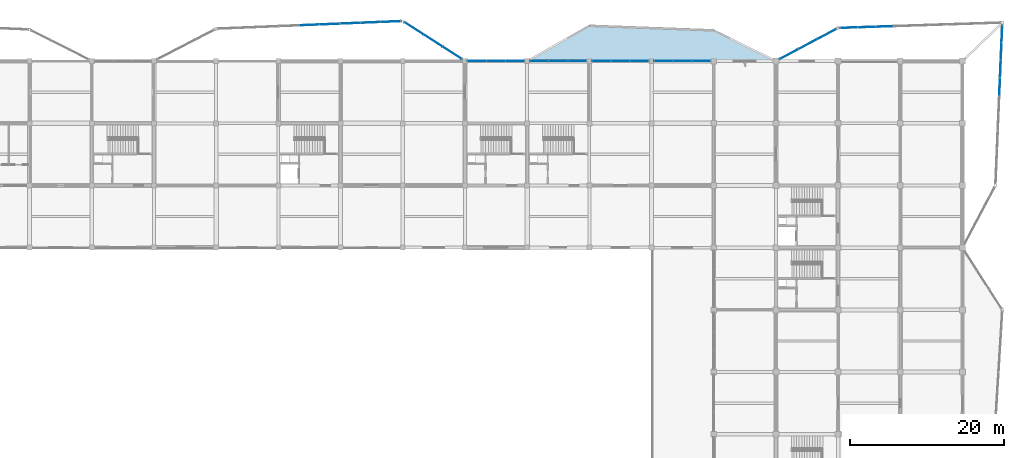
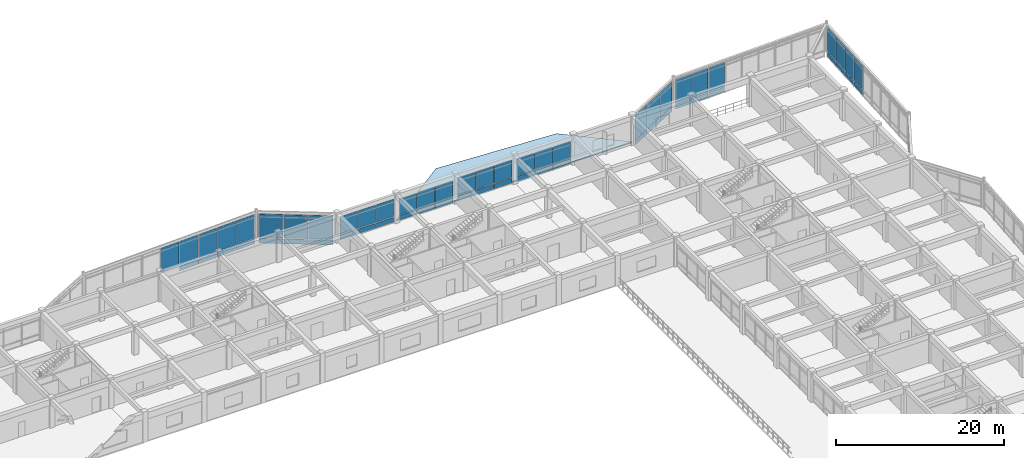
# One storey, part 44 of 70: 59 plates, 1 slab, 11 elements without a shape of their own.
"""IFC4 building model written with IfcOpenShell, lengths in metres."""

from ifc_helpers import new_model, si_unit, direction, frame, origin, origin_2d, place, context, subcontext, project, spatial, polyline, rectangle, outline, extrude, material, layer, layer_set, type_object, element, aggregate, save


model = new_model("IFC4")

# Units and contexts
model_context = context("Model", 3, precision=1e-05, world=origin(), true_north=direction((0.0, 1.0)))
body_context = subcontext(model_context, "Body", "Model", "MODEL_VIEW")
ifc_project = project(units=[si_unit("LENGTHUNIT", "METRE"), si_unit("AREAUNIT", "SQUARE_METRE"), si_unit("VOLUMEUNIT", "CUBIC_METRE"), si_unit("PLANEANGLEUNIT", "RADIAN"), si_unit("MASSUNIT", "GRAM", prefix="KILO")], contexts=[model_context])

# Site, building, storey
site_placement = place(None, origin())
site = spatial("IfcSite", under=ifc_project, at=site_placement, CompositionType="ELEMENT")
building_placement = place(site_placement, origin())
building = spatial("IfcBuilding", under=site, at=building_placement, Name="Vaudrelin Polytechnic", CompositionType="ELEMENT")
storey_placement = place(building_placement, frame((0.0, 0.0, 14.110107421875)))
storey = spatial("IfcBuildingStorey", under=building, at=storey_placement, Name="L03", CompositionType="ELEMENT", Elevation=14.110107421875)

# Curtain wall, plates
ifc_material_1 = material(Name="Thermally broken anodised aluminium AA 6063-T6 and low-e triple glazing", Category="aluminium")
ifc_layer_1 = layer(ifc_material_1, 0.199951171875)
ifc_layer_set_1 = layer_set([ifc_layer_1], Name="Thermally broken anodised aluminium AA 6063-T6 and low-e triple glazing")
curtain_wall_type_1 = type_object("IfcCurtainWallType", Name="CW-CW-STU", PredefinedType="USERDEFINED", material=ifc_layer_set_1)
curtain_wall_1_placement = place(storey_placement, origin())
curtain_wall_1 = element("IfcCurtainWall", 1, at=curtain_wall_1_placement, inside=storey, type_object=curtain_wall_type_1, Name="Curtain wall L03 N_V5_13", ObjectType="CURTAIN WALL", PredefinedType="USERDEFINED")
ifc_material_2 = material(Name="Diffusing north-light studio glazing panel", Category="glass")
ifc_layer_2 = layer(ifc_material_2, 0.048095703125)
ifc_layer_set_2 = layer_set([ifc_layer_2], Name="Diffusing north-light studio glazing panel")
plate_type_1 = type_object("IfcPlateType", Name="PLT-GLZ-SAW", PredefinedType="CURTAIN_PANEL", material=ifc_layer_set_2)
plate_1_placement = place(storey_placement, frame((106.865234375, 121.5, 0.89990234375), z_axis=(0.0, 0.0, 1.0), x_axis=(1.0, 0.0, 0.0)))
plate_1 = element("IfcPlate", 2, at=plate_1_placement, type_object=plate_type_1, Name="N_V5_13 vision panel 1", PredefinedType="CURTAIN_PANEL", context=body_context, shape_type="SweptSolid", body=[
    extrude(rectangle(XDim=2.384765625, YDim=0.0439453125, at=origin_2d()), origin(), (0.0, 0.0, 1.0), 2.552001953125),
])
plate_2_placement = place(storey_placement, frame((109.35009765625, 121.5, 0.89990234375), z_axis=(0.0, 0.0, 1.0), x_axis=(1.0, 0.0, 0.0)))
plate_2 = element("IfcPlate", 3, at=plate_2_placement, type_object=plate_type_1, Name="N_V5_13 vision panel 2", PredefinedType="CURTAIN_PANEL", context=body_context, shape_type="SweptSolid", body=[
    extrude(rectangle(XDim=2.384765625, YDim=0.0439453125, at=origin_2d()), origin(), (0.0, 0.0, 1.0), 2.552001953125),
])
plate_3_placement = place(storey_placement, frame((111.834716796875, 121.5, 0.89990234375), z_axis=(0.0, 0.0, 1.0), x_axis=(1.0, 0.0, 0.0)))
plate_3 = element("IfcPlate", 4, at=plate_3_placement, type_object=plate_type_1, Name="N_V5_13 vision panel 3", PredefinedType="CURTAIN_PANEL", context=body_context, shape_type="SweptSolid", body=[
    extrude(rectangle(XDim=2.384765625, YDim=0.0439453125, at=origin_2d()), origin(), (0.0, 0.0, 1.0), 2.552001953125),
])

curtain_wall_2_placement = place(storey_placement, origin())
curtain_wall_2 = element("IfcCurtainWall", 5, at=curtain_wall_2_placement, inside=storey, type_object=curtain_wall_type_1, Name="Curtain wall L03 N_V5_14", ObjectType="CURTAIN WALL", PredefinedType="USERDEFINED")
plate_4_placement = place(storey_placement, frame((114.96533203125, 121.5, 0.89990234375), z_axis=(0.0, 0.0, 1.0), x_axis=(1.0, 0.0, 0.0)))
plate_4 = element("IfcPlate", 6, at=plate_4_placement, type_object=plate_type_1, Name="N_V5_14 vision panel 1", PredefinedType="CURTAIN_PANEL", context=body_context, shape_type="SweptSolid", body=[
    extrude(rectangle(XDim=2.384765625, YDim=0.0439453125, at=origin_2d()), origin(), (0.0, 0.0, 1.0), 2.302001953125),
])
plate_5_placement = place(storey_placement, frame((117.449951171875, 121.5, 0.89990234375), z_axis=(0.0, 0.0, 1.0), x_axis=(1.0, 0.0, 0.0)))
plate_5 = element("IfcPlate", 7, at=plate_5_placement, type_object=plate_type_1, Name="N_V5_14 vision panel 2", PredefinedType="CURTAIN_PANEL", context=body_context, shape_type="SweptSolid", body=[
    extrude(rectangle(XDim=2.384765625, YDim=0.0439453125, at=origin_2d()), origin(), (0.0, 0.0, 1.0), 2.302001953125),
])
plate_6_placement = place(storey_placement, frame((119.934814453125, 121.5, 0.89990234375), z_axis=(0.0, 0.0, 1.0), x_axis=(1.0, 0.0, 0.0)))
plate_6 = element("IfcPlate", 8, at=plate_6_placement, type_object=plate_type_1, Name="N_V5_14 vision panel 3", PredefinedType="CURTAIN_PANEL", context=body_context, shape_type="SweptSolid", body=[
    extrude(rectangle(XDim=2.384765625, YDim=0.0439453125, at=origin_2d()), origin(), (0.0, 0.0, 1.0), 2.302001953125),
])

curtain_wall_3_placement = place(storey_placement, origin())
curtain_wall_3 = element("IfcCurtainWall", 9, at=curtain_wall_3_placement, inside=storey, type_object=curtain_wall_type_1, Name="Curtain wall L03 N_V5_15", ObjectType="CURTAIN WALL", PredefinedType="USERDEFINED")
plate_7_placement = place(storey_placement, frame((123.065185546875, 121.5, 0.89990234375), z_axis=(0.0, 0.0, 1.0), x_axis=(1.0, 0.0, 0.0)))
plate_7 = element("IfcPlate", 10, at=plate_7_placement, type_object=plate_type_1, Name="N_V5_15 vision panel 1", PredefinedType="CURTAIN_PANEL", context=body_context, shape_type="SweptSolid", body=[
    extrude(rectangle(XDim=2.384765625, YDim=0.0439453125, at=origin_2d()), origin(), (0.0, 0.0, 1.0), 2.501953125),
])
plate_8_placement = place(storey_placement, frame((125.550048828125, 121.5, 0.89990234375), z_axis=(0.0, 0.0, 1.0), x_axis=(1.0, 0.0, 0.0)))
plate_8 = element("IfcPlate", 11, at=plate_8_placement, type_object=plate_type_1, Name="N_V5_15 vision panel 2", PredefinedType="CURTAIN_PANEL", context=body_context, shape_type="SweptSolid", body=[
    extrude(rectangle(XDim=2.384765625, YDim=0.0439453125, at=origin_2d()), origin(), (0.0, 0.0, 1.0), 2.501953125),
])
plate_9_placement = place(storey_placement, frame((128.03466796875, 121.5, 0.89990234375), z_axis=(0.0, 0.0, 1.0), x_axis=(1.0, 0.0, 0.0)))
plate_9 = element("IfcPlate", 12, at=plate_9_placement, type_object=plate_type_1, Name="N_V5_15 vision panel 3", PredefinedType="CURTAIN_PANEL", context=body_context, shape_type="SweptSolid", body=[
    extrude(rectangle(XDim=2.384765625, YDim=0.0439453125, at=origin_2d()), origin(), (0.0, 0.0, 1.0), 2.501953125),
])

curtain_wall_4_placement = place(storey_placement, origin())
curtain_wall_4 = element("IfcCurtainWall", 13, at=curtain_wall_4_placement, inside=storey, type_object=curtain_wall_type_1, Name="Curtain wall L03 N_V5_16", ObjectType="CURTAIN WALL", PredefinedType="USERDEFINED")
plate_10_placement = place(storey_placement, frame((131.156982421875, 121.5, 0.89990234375), z_axis=(0.0, 0.0, 1.0), x_axis=(1.0, 0.0, 0.0)))
plate_10 = element("IfcPlate", 14, at=plate_10_placement, type_object=plate_type_1, Name="N_V5_16 vision panel 1", PredefinedType="CURTAIN_PANEL", context=body_context, shape_type="SweptSolid", body=[
    extrude(rectangle(XDim=2.367919921875, YDim=0.0439453125, at=origin_2d()), origin(), (0.0, 0.0, 1.0), 2.402099609375),
])
plate_11_placement = place(storey_placement, frame((133.625, 121.5, 0.89990234375), z_axis=(0.0, 0.0, 1.0), x_axis=(1.0, 0.0, 0.0)))
plate_11 = element("IfcPlate", 15, at=plate_11_placement, type_object=plate_type_1, Name="N_V5_16 vision panel 2", PredefinedType="CURTAIN_PANEL", context=body_context, shape_type="SweptSolid", body=[
    extrude(rectangle(XDim=2.367919921875, YDim=0.0439453125, at=origin_2d()), origin(), (0.0, 0.0, 1.0), 2.402099609375),
])
plate_12_placement = place(storey_placement, frame((136.093017578125, 121.5, 0.89990234375), z_axis=(0.0, 0.0, 1.0), x_axis=(1.0, 0.0, 0.0)))
plate_12 = element("IfcPlate", 16, at=plate_12_placement, type_object=plate_type_1, Name="N_V5_16 vision panel 3", PredefinedType="CURTAIN_PANEL", context=body_context, shape_type="SweptSolid", body=[
    extrude(rectangle(XDim=2.367919921875, YDim=0.0439453125, at=origin_2d()), origin(), (0.0, 0.0, 1.0), 2.402099609375),
])

# Plate
ifc_material_3 = material(Name="Insulated ceramic-frit spandrel glass panel", Category="glass")
ifc_layer_3 = layer(ifc_material_3, 0.052001953125)
ifc_layer_set_3 = layer_set([ifc_layer_3], Name="Insulated ceramic-frit spandrel glass panel")
plate_type_2 = type_object("IfcPlateType", Name="PLT-GLZ-SPAND", PredefinedType="CURTAIN_PANEL", material=ifc_layer_set_3)
plate_13_placement = place(storey_placement, frame((106.865234375, 121.5, 0.08984375), z_axis=(0.0, 0.0, 1.0), x_axis=(1.0, 0.0, 0.0)))
plate_13 = element("IfcPlate", 17, at=plate_13_placement, type_object=plate_type_2, Name="N_V5_13 spandrel panel 1", PredefinedType="CURTAIN_PANEL", context=body_context, shape_type="SweptSolid", body=[
    extrude(rectangle(XDim=2.384765625, YDim=0.052001953125, at=origin_2d()), origin(), (0.0, 0.0, 1.0), 0.699951171875),
])

plate_14_placement = place(storey_placement, frame((109.35009765625, 121.5, 0.08984375), z_axis=(0.0, 0.0, 1.0), x_axis=(1.0, 0.0, 0.0)))
plate_14 = element("IfcPlate", 18, at=plate_14_placement, type_object=plate_type_2, Name="N_V5_13 spandrel panel 2", PredefinedType="CURTAIN_PANEL", context=body_context, shape_type="SweptSolid", body=[
    extrude(rectangle(XDim=2.384765625, YDim=0.052001953125, at=origin_2d()), origin(), (0.0, 0.0, 1.0), 0.699951171875),
])

plate_15_placement = place(storey_placement, frame((111.834716796875, 121.5, 0.08984375), z_axis=(0.0, 0.0, 1.0), x_axis=(1.0, 0.0, 0.0)))
plate_15 = element("IfcPlate", 19, at=plate_15_placement, type_object=plate_type_2, Name="N_V5_13 spandrel panel 3", PredefinedType="CURTAIN_PANEL", context=body_context, shape_type="SweptSolid", body=[
    extrude(rectangle(XDim=2.384765625, YDim=0.052001953125, at=origin_2d()), origin(), (0.0, 0.0, 1.0), 0.699951171875),
])

aggregate(curtain_wall_1, [plate_13, plate_1, plate_14, plate_2, plate_15, plate_3])

plate_16_placement = place(storey_placement, frame((114.96533203125, 121.5, 0.08984375), z_axis=(0.0, 0.0, 1.0), x_axis=(1.0, 0.0, 0.0)))
plate_16 = element("IfcPlate", 20, at=plate_16_placement, type_object=plate_type_2, Name="N_V5_14 spandrel panel 1", PredefinedType="CURTAIN_PANEL", context=body_context, shape_type="SweptSolid", body=[
    extrude(rectangle(XDim=2.384765625, YDim=0.052001953125, at=origin_2d()), origin(), (0.0, 0.0, 1.0), 0.699951171875),
])

plate_17_placement = place(storey_placement, frame((117.449951171875, 121.5, 0.08984375), z_axis=(0.0, 0.0, 1.0), x_axis=(1.0, 0.0, 0.0)))
plate_17 = element("IfcPlate", 21, at=plate_17_placement, type_object=plate_type_2, Name="N_V5_14 spandrel panel 2", PredefinedType="CURTAIN_PANEL", context=body_context, shape_type="SweptSolid", body=[
    extrude(rectangle(XDim=2.384765625, YDim=0.052001953125, at=origin_2d()), origin(), (0.0, 0.0, 1.0), 0.699951171875),
])

plate_18_placement = place(storey_placement, frame((119.934814453125, 121.5, 0.08984375), z_axis=(0.0, 0.0, 1.0), x_axis=(1.0, 0.0, 0.0)))
plate_18 = element("IfcPlate", 22, at=plate_18_placement, type_object=plate_type_2, Name="N_V5_14 spandrel panel 3", PredefinedType="CURTAIN_PANEL", context=body_context, shape_type="SweptSolid", body=[
    extrude(rectangle(XDim=2.384765625, YDim=0.052001953125, at=origin_2d()), origin(), (0.0, 0.0, 1.0), 0.699951171875),
])

aggregate(curtain_wall_2, [plate_16, plate_4, plate_17, plate_5, plate_18, plate_6])

plate_19_placement = place(storey_placement, frame((123.065185546875, 121.5, 0.08984375), z_axis=(0.0, 0.0, 1.0), x_axis=(1.0, 0.0, 0.0)))
plate_19 = element("IfcPlate", 23, at=plate_19_placement, type_object=plate_type_2, Name="N_V5_15 spandrel panel 1", PredefinedType="CURTAIN_PANEL", context=body_context, shape_type="SweptSolid", body=[
    extrude(rectangle(XDim=2.384765625, YDim=0.052001953125, at=origin_2d()), origin(), (0.0, 0.0, 1.0), 0.699951171875),
])

plate_20_placement = place(storey_placement, frame((125.550048828125, 121.5, 0.08984375), z_axis=(0.0, 0.0, 1.0), x_axis=(1.0, 0.0, 0.0)))
plate_20 = element("IfcPlate", 24, at=plate_20_placement, type_object=plate_type_2, Name="N_V5_15 spandrel panel 2", PredefinedType="CURTAIN_PANEL", context=body_context, shape_type="SweptSolid", body=[
    extrude(rectangle(XDim=2.384765625, YDim=0.052001953125, at=origin_2d()), origin(), (0.0, 0.0, 1.0), 0.699951171875),
])

plate_21_placement = place(storey_placement, frame((128.03466796875, 121.5, 0.08984375), z_axis=(0.0, 0.0, 1.0), x_axis=(1.0, 0.0, 0.0)))
plate_21 = element("IfcPlate", 25, at=plate_21_placement, type_object=plate_type_2, Name="N_V5_15 spandrel panel 3", PredefinedType="CURTAIN_PANEL", context=body_context, shape_type="SweptSolid", body=[
    extrude(rectangle(XDim=2.384765625, YDim=0.052001953125, at=origin_2d()), origin(), (0.0, 0.0, 1.0), 0.699951171875),
])

aggregate(curtain_wall_3, [plate_19, plate_7, plate_20, plate_8, plate_21, plate_9])

plate_22_placement = place(storey_placement, frame((131.156982421875, 121.5, 0.08984375), z_axis=(0.0, 0.0, 1.0), x_axis=(1.0, 0.0, 0.0)))
plate_22 = element("IfcPlate", 26, at=plate_22_placement, type_object=plate_type_2, Name="N_V5_16 spandrel panel 1", PredefinedType="CURTAIN_PANEL", context=body_context, shape_type="SweptSolid", body=[
    extrude(rectangle(XDim=2.367919921875, YDim=0.052001953125, at=origin_2d()), origin(), (0.0, 0.0, 1.0), 0.699951171875),
])

plate_23_placement = place(storey_placement, frame((133.625, 121.5, 0.08984375), z_axis=(0.0, 0.0, 1.0), x_axis=(1.0, 0.0, 0.0)))
plate_23 = element("IfcPlate", 27, at=plate_23_placement, type_object=plate_type_2, Name="N_V5_16 spandrel panel 2", PredefinedType="CURTAIN_PANEL", context=body_context, shape_type="SweptSolid", body=[
    extrude(rectangle(XDim=2.367919921875, YDim=0.052001953125, at=origin_2d()), origin(), (0.0, 0.0, 1.0), 0.699951171875),
])

plate_24_placement = place(storey_placement, frame((136.093017578125, 121.5, 0.08984375), z_axis=(0.0, 0.0, 1.0), x_axis=(1.0, 0.0, 0.0)))
plate_24 = element("IfcPlate", 28, at=plate_24_placement, type_object=plate_type_2, Name="N_V5_16 spandrel panel 3", PredefinedType="CURTAIN_PANEL", context=body_context, shape_type="SweptSolid", body=[
    extrude(rectangle(XDim=2.367919921875, YDim=0.052001953125, at=origin_2d()), origin(), (0.0, 0.0, 1.0), 0.699951171875),
])

aggregate(curtain_wall_4, [plate_22, plate_10, plate_23, plate_11, plate_24, plate_12])

# Curtain wall, plates
ifc_layer_4 = layer(ifc_material_1, 0.199951171875)
ifc_layer_set_4 = layer_set([ifc_layer_4], Name="Thermally broken anodised aluminium AA 6063-T6 and low-e triple glazing")
curtain_wall_type_2 = type_object("IfcCurtainWallType", Name="CW-CW-LAB", PredefinedType="USERDEFINED", material=ifc_layer_set_4)
curtain_wall_5_placement = place(storey_placement, origin())
curtain_wall_5 = element("IfcCurtainWall", 29, at=curtain_wall_5_placement, inside=storey, type_object=curtain_wall_type_2, Name="Curtain wall L03 NEP_1_0", ObjectType="CURTAIN WALL", PredefinedType="USERDEFINED")
plate_25_placement = place(storey_placement, frame((147.4873046875, 122.3955078125, -0.5400390625), z_axis=(0.0, 0.0, 1.0), x_axis=(0.88325357809, 0.468895635288, 0.0)))
plate_25 = element("IfcPlate", 30, at=plate_25_placement, type_object=plate_type_2, Name="NEP_1_0 spandrel panel 1", PredefinedType="CURTAIN_PANEL", context=body_context, shape_type="SweptSolid", body=[
    extrude(rectangle(XDim=2.701171875, YDim=0.052001953125, at=origin_2d()), origin(), (0.0, 0.0, 1.0), 0.699951171875),
])
plate_26_placement = place(storey_placement, frame((149.961181640625, 123.708984375, -0.5400390625), z_axis=(0.0, 0.0, 1.0), x_axis=(0.88325357809, 0.468895635288, 0.0)))
plate_26 = element("IfcPlate", 31, at=plate_26_placement, type_object=plate_type_2, Name="NEP_1_0 spandrel panel 2", PredefinedType="CURTAIN_PANEL", context=body_context, shape_type="SweptSolid", body=[
    extrude(rectangle(XDim=2.701171875, YDim=0.052001953125, at=origin_2d()), origin(), (0.0, 0.0, 1.0), 0.699951171875),
])
plate_27_placement = place(storey_placement, frame((152.435302734375, 125.0224609375, -0.5400390625), z_axis=(0.0, 0.0, 1.0), x_axis=(0.88325357809, 0.468895635288, 0.0)))
plate_27 = element("IfcPlate", 32, at=plate_27_placement, type_object=plate_type_2, Name="NEP_1_0 spandrel panel 3", PredefinedType="CURTAIN_PANEL", context=body_context, shape_type="SweptSolid", body=[
    extrude(rectangle(XDim=2.701171875, YDim=0.052001953125, at=origin_2d()), origin(), (0.0, 0.0, 1.0), 0.699951171875),
])

curtain_wall_6_placement = place(storey_placement, origin())
curtain_wall_6 = element("IfcCurtainWall", 33, at=curtain_wall_6_placement, inside=storey, type_object=curtain_wall_type_2, Name="Curtain wall L03 NEP_2_0", ObjectType="CURTAIN WALL", PredefinedType="USERDEFINED")
plate_28_placement = place(storey_placement, frame((155.297119140625, 125.845703125, -0.5400390625), z_axis=(0.0, 0.0, 1.0), x_axis=(0.999465454284, 0.032692593862, 0.0)))
plate_28 = element("IfcPlate", 34, at=plate_28_placement, type_object=plate_type_2, Name="NEP_2_0 spandrel panel 1", PredefinedType="CURTAIN_PANEL", context=body_context, shape_type="SweptSolid", body=[
    extrude(rectangle(XDim=2.220703125, YDim=0.052001953125, at=origin_2d()), origin(), (0.0, 0.0, 1.0), 0.699951171875),
])
plate_29_placement = place(storey_placement, frame((157.616455078125, 125.921630859375, -0.5400390625), z_axis=(0.0, 0.0, 1.0), x_axis=(0.999465454284, 0.032692593862, 0.0)))
plate_29 = element("IfcPlate", 35, at=plate_29_placement, type_object=plate_type_2, Name="NEP_2_0 spandrel panel 2", PredefinedType="CURTAIN_PANEL", context=body_context, shape_type="SweptSolid", body=[
    extrude(rectangle(XDim=2.220703125, YDim=0.052001953125, at=origin_2d()), origin(), (0.0, 0.0, 1.0), 0.699951171875),
])
plate_30_placement = place(storey_placement, frame((159.935791015625, 125.99755859375, -0.5400390625), z_axis=(0.0, 0.0, 1.0), x_axis=(0.999465454284, 0.032692593862, 0.0)))
plate_30 = element("IfcPlate", 36, at=plate_30_placement, type_object=plate_type_2, Name="NEP_2_0 spandrel panel 3", PredefinedType="CURTAIN_PANEL", context=body_context, shape_type="SweptSolid", body=[
    extrude(rectangle(XDim=2.220703125, YDim=0.052001953125, at=origin_2d()), origin(), (0.0, 0.0, 1.0), 0.699951171875),
])

curtain_wall_7_placement = place(storey_placement, origin())
curtain_wall_7 = element("IfcCurtainWall", 37, at=curtain_wall_7_placement, inside=storey, type_object=curtain_wall_type_2, Name="Curtain wall L03 NEP_3_0", ObjectType="CURTAIN WALL", PredefinedType="USERDEFINED")
plate_31_placement = place(storey_placement, frame((175.239013671875, 125.063232421875, -0.5400390625), z_axis=(0.0, 0.0, 1.0), x_axis=(-0.042419882824, -0.999099871655, 0.0)))
plate_31 = element("IfcPlate", 38, at=plate_31_placement, type_object=plate_type_2, Name="NEP_3_0 spandrel panel 1", PredefinedType="CURTAIN_PANEL", context=body_context, shape_type="SweptSolid", body=[
    extrude(rectangle(XDim=2.19921875, YDim=0.052001953125, at=origin_2d()), origin(), (0.0, 0.0, 1.0), 0.699951171875),
])
plate_32_placement = place(storey_placement, frame((175.1416015625, 122.76611328125, -0.5400390625), z_axis=(0.0, 0.0, 1.0), x_axis=(-0.042419882824, -0.999099871655, 0.0)))
plate_32 = element("IfcPlate", 39, at=plate_32_placement, type_object=plate_type_2, Name="NEP_3_0 spandrel panel 2", PredefinedType="CURTAIN_PANEL", context=body_context, shape_type="SweptSolid", body=[
    extrude(rectangle(XDim=2.19921875, YDim=0.052001953125, at=origin_2d()), origin(), (0.0, 0.0, 1.0), 0.699951171875),
])
plate_33_placement = place(storey_placement, frame((175.0439453125, 120.468994140625, -0.5400390625), z_axis=(0.0, 0.0, 1.0), x_axis=(-0.042419882824, -0.999099871655, 0.0)))
plate_33 = element("IfcPlate", 40, at=plate_33_placement, type_object=plate_type_2, Name="NEP_3_0 spandrel panel 3", PredefinedType="CURTAIN_PANEL", context=body_context, shape_type="SweptSolid", body=[
    extrude(rectangle(XDim=2.19921875, YDim=0.052001953125, at=origin_2d()), origin(), (0.0, 0.0, 1.0), 0.699951171875),
])

# Curtain wall, plate
curtain_wall_8_placement = place(storey_placement, origin())
curtain_wall_8 = element("IfcCurtainWall", 41, at=curtain_wall_8_placement, inside=storey, type_object=curtain_wall_type_2, Name="Curtain wall L03 NEP_3_1", ObjectType="CURTAIN WALL", PredefinedType="USERDEFINED")
plate_34_placement = place(storey_placement, frame((174.9462890625, 118.171875, -0.5400390625), z_axis=(0.0, 0.0, 1.0), x_axis=(-0.042405411318, -0.999100485983, 0.0)))
plate_34 = element("IfcPlate", 42, at=plate_34_placement, type_object=plate_type_2, Name="NEP_3_1 spandrel panel 1", PredefinedType="CURTAIN_PANEL", context=body_context, shape_type="SweptSolid", body=[
    extrude(rectangle(XDim=2.19921875, YDim=0.052001953125, at=origin_2d()), origin(), (0.0, 0.0, 1.0), 0.699951171875),
])

curtain_wall_9_placement = place(storey_placement, origin())
curtain_wall_9 = element("IfcCurtainWall", 43, at=curtain_wall_9_placement, inside=storey, type_object=curtain_wall_type_1, Name="Curtain wall L03 N_OR2_2_1", ObjectType="CURTAIN WALL", PredefinedType="USERDEFINED")
plate_35_placement = place(storey_placement, frame((87.697265625, 126.308837890625, -0.5400390625), z_axis=(0.0, 0.0, 1.0), x_axis=(0.999154438691, 0.041114567302, 0.0)))
plate_35 = element("IfcPlate", 44, at=plate_35_placement, type_object=plate_type_2, Name="N_OR2_2_1 spandrel panel 3", PredefinedType="CURTAIN_PANEL", context=body_context, shape_type="SweptSolid", body=[
    extrude(rectangle(XDim=2.549560546875, YDim=0.052001953125, at=origin_2d()), origin(), (0.0, 0.0, 1.0), 0.699951171875),
])

# Curtain wall, plates
curtain_wall_10_placement = place(storey_placement, origin())
curtain_wall_10 = element("IfcCurtainWall", 45, at=curtain_wall_10_placement, inside=storey, type_object=curtain_wall_type_1, Name="Curtain wall L03 N_OR2_2_2", ObjectType="CURTAIN WALL", PredefinedType="USERDEFINED")
plate_36_placement = place(storey_placement, frame((90.344482421875, 126.41796875, -0.5400390625), z_axis=(0.0, 0.0, 1.0), x_axis=(0.999154417424, 0.041115084128, 0.0)))
plate_36 = element("IfcPlate", 46, at=plate_36_placement, type_object=plate_type_2, Name="N_OR2_2_2 spandrel panel 1", PredefinedType="CURTAIN_PANEL", context=body_context, shape_type="SweptSolid", body=[
    extrude(rectangle(XDim=2.549560546875, YDim=0.052001953125, at=origin_2d()), origin(), (0.0, 0.0, 1.0), 0.699951171875),
])
plate_37_placement = place(storey_placement, frame((92.99169921875, 126.52685546875, -0.5400390625), z_axis=(0.0, 0.0, 1.0), x_axis=(0.999154417424, 0.041115084128, 0.0)))
plate_37 = element("IfcPlate", 47, at=plate_37_placement, type_object=plate_type_2, Name="N_OR2_2_2 spandrel panel 2", PredefinedType="CURTAIN_PANEL", context=body_context, shape_type="SweptSolid", body=[
    extrude(rectangle(XDim=2.549560546875, YDim=0.052001953125, at=origin_2d()), origin(), (0.0, 0.0, 1.0), 0.699951171875),
])
plate_38_placement = place(storey_placement, frame((95.638916015625, 126.6357421875, -0.5400390625), z_axis=(0.0, 0.0, 1.0), x_axis=(0.999154417424, 0.041115084128, 0.0)))
plate_38 = element("IfcPlate", 48, at=plate_38_placement, type_object=plate_type_2, Name="N_OR2_2_2 spandrel panel 3", PredefinedType="CURTAIN_PANEL", context=body_context, shape_type="SweptSolid", body=[
    extrude(rectangle(XDim=2.549560546875, YDim=0.052001953125, at=origin_2d()), origin(), (0.0, 0.0, 1.0), 0.699951171875),
])

curtain_wall_11_placement = place(storey_placement, origin())
curtain_wall_11 = element("IfcCurtainWall", 49, at=curtain_wall_11_placement, inside=storey, type_object=curtain_wall_type_1, Name="Curtain wall L03 N_OR2_3_0", ObjectType="CURTAIN WALL", PredefinedType="USERDEFINED")
plate_39_placement = place(storey_placement, frame((98.670654296875, 125.755859375, -0.5400390625), z_axis=(0.0, 0.0, 1.0), x_axis=(0.841518641414, -0.540228077901, 0.0)))
plate_39 = element("IfcPlate", 50, at=plate_39_placement, type_object=plate_type_2, Name="N_OR2_3_0 spandrel panel 1", PredefinedType="CURTAIN_PANEL", context=body_context, shape_type="SweptSolid", body=[
    extrude(rectangle(XDim=2.86279296875, YDim=0.052001953125, at=origin_2d()), origin(), (0.0, 0.0, 1.0), 0.699951171875),
])
plate_40_placement = place(storey_placement, frame((101.163818359375, 124.155517578125, -0.5400390625), z_axis=(0.0, 0.0, 1.0), x_axis=(0.841518641414, -0.540228077901, 0.0)))
plate_40 = element("IfcPlate", 51, at=plate_40_placement, type_object=plate_type_2, Name="N_OR2_3_0 spandrel panel 2", PredefinedType="CURTAIN_PANEL", context=body_context, shape_type="SweptSolid", body=[
    extrude(rectangle(XDim=2.86279296875, YDim=0.052001953125, at=origin_2d()), origin(), (0.0, 0.0, 1.0), 0.699951171875),
])
plate_41_placement = place(storey_placement, frame((103.656982421875, 122.554931640625, -0.5400390625), z_axis=(0.0, 0.0, 1.0), x_axis=(0.841518641414, -0.540228077901, 0.0)))
plate_41 = element("IfcPlate", 52, at=plate_41_placement, type_object=plate_type_2, Name="N_OR2_3_0 spandrel panel 3", PredefinedType="CURTAIN_PANEL", context=body_context, shape_type="SweptSolid", body=[
    extrude(rectangle(XDim=2.86279296875, YDim=0.052001953125, at=origin_2d()), origin(), (0.0, 0.0, 1.0), 0.699951171875),
])

# Plate
ifc_material_4 = material(Name="Triple low-e argon insulated glazing unit", Category="glass")
ifc_layer_5 = layer(ifc_material_4, 0.0439453125)
ifc_layer_set_5 = layer_set([ifc_layer_5], Name="Triple low-e argon insulated glazing unit")
plate_type_3 = type_object("IfcPlateType", Name="PLT-GLZ-TRIPLE", PredefinedType="CURTAIN_PANEL", material=ifc_layer_set_5)
plate_42_placement = place(storey_placement, frame((147.4873046875, 122.3955078125, 0.27001953125), z_axis=(0.0, 0.0, 1.0), x_axis=(0.88325357809, 0.468895635288, 0.0)))
plate_42 = element("IfcPlate", 53, at=plate_42_placement, type_object=plate_type_3, Name="NEP_1_0 vision panel 1", PredefinedType="CURTAIN_PANEL", context=body_context, shape_type="SweptSolid", body=[
    extrude(rectangle(XDim=2.701171875, YDim=0.0439453125, at=origin_2d()), origin(), (0.0, 0.0, 1.0), 3.43994140625),
])

plate_43_placement = place(storey_placement, frame((149.961181640625, 123.708984375, 0.27001953125), z_axis=(0.0, 0.0, 1.0), x_axis=(0.88325357809, 0.468895635288, 0.0)))
plate_43 = element("IfcPlate", 54, at=plate_43_placement, type_object=plate_type_3, Name="NEP_1_0 vision panel 2", PredefinedType="CURTAIN_PANEL", context=body_context, shape_type="SweptSolid", body=[
    extrude(rectangle(XDim=2.701171875, YDim=0.0439453125, at=origin_2d()), origin(), (0.0, 0.0, 1.0), 3.43994140625),
])

plate_44_placement = place(storey_placement, frame((152.435302734375, 125.0224609375, 0.27001953125), z_axis=(0.0, 0.0, 1.0), x_axis=(0.88325357809, 0.468895635288, 0.0)))
plate_44 = element("IfcPlate", 55, at=plate_44_placement, type_object=plate_type_3, Name="NEP_1_0 vision panel 3", PredefinedType="CURTAIN_PANEL", context=body_context, shape_type="SweptSolid", body=[
    extrude(rectangle(XDim=2.701171875, YDim=0.0439453125, at=origin_2d()), origin(), (0.0, 0.0, 1.0), 3.43994140625),
])

aggregate(curtain_wall_5, [plate_25, plate_42, plate_26, plate_43, plate_27, plate_44])

plate_45_placement = place(storey_placement, frame((155.297119140625, 125.845703125, 0.27001953125), z_axis=(0.0, 0.0, 1.0), x_axis=(0.999465454284, 0.032692593862, 0.0)))
plate_45 = element("IfcPlate", 56, at=plate_45_placement, type_object=plate_type_3, Name="NEP_2_0 vision panel 1", PredefinedType="CURTAIN_PANEL", context=body_context, shape_type="SweptSolid", body=[
    extrude(rectangle(XDim=2.220703125, YDim=0.0439453125, at=origin_2d()), origin(), (0.0, 0.0, 1.0), 3.43994140625),
])

plate_46_placement = place(storey_placement, frame((157.616455078125, 125.921630859375, 0.27001953125), z_axis=(0.0, 0.0, 1.0), x_axis=(0.999465454284, 0.032692593862, 0.0)))
plate_46 = element("IfcPlate", 57, at=plate_46_placement, type_object=plate_type_3, Name="NEP_2_0 vision panel 2", PredefinedType="CURTAIN_PANEL", context=body_context, shape_type="SweptSolid", body=[
    extrude(rectangle(XDim=2.220703125, YDim=0.0439453125, at=origin_2d()), origin(), (0.0, 0.0, 1.0), 3.43994140625),
])

plate_47_placement = place(storey_placement, frame((159.935791015625, 125.99755859375, 0.27001953125), z_axis=(0.0, 0.0, 1.0), x_axis=(0.999465454284, 0.032692593862, 0.0)))
plate_47 = element("IfcPlate", 58, at=plate_47_placement, type_object=plate_type_3, Name="NEP_2_0 vision panel 3", PredefinedType="CURTAIN_PANEL", context=body_context, shape_type="SweptSolid", body=[
    extrude(rectangle(XDim=2.220703125, YDim=0.0439453125, at=origin_2d()), origin(), (0.0, 0.0, 1.0), 3.43994140625),
])

aggregate(curtain_wall_6, [plate_28, plate_45, plate_29, plate_46, plate_30, plate_47])

plate_48_placement = place(storey_placement, frame((175.239013671875, 125.063232421875, 0.27001953125), z_axis=(0.0, 0.0, 1.0), x_axis=(-0.042419882824, -0.999099871655, 0.0)))
plate_48 = element("IfcPlate", 59, at=plate_48_placement, type_object=plate_type_3, Name="NEP_3_0 vision panel 1", PredefinedType="CURTAIN_PANEL", context=body_context, shape_type="SweptSolid", body=[
    extrude(rectangle(XDim=2.19921875, YDim=0.0439453125, at=origin_2d()), origin(), (0.0, 0.0, 1.0), 3.43994140625),
])

plate_49_placement = place(storey_placement, frame((175.1416015625, 122.76611328125, 0.27001953125), z_axis=(0.0, 0.0, 1.0), x_axis=(-0.042419882824, -0.999099871655, 0.0)))
plate_49 = element("IfcPlate", 60, at=plate_49_placement, type_object=plate_type_3, Name="NEP_3_0 vision panel 2", PredefinedType="CURTAIN_PANEL", context=body_context, shape_type="SweptSolid", body=[
    extrude(rectangle(XDim=2.19921875, YDim=0.0439453125, at=origin_2d()), origin(), (0.0, 0.0, 1.0), 3.43994140625),
])

plate_50_placement = place(storey_placement, frame((175.0439453125, 120.468994140625, 0.27001953125), z_axis=(0.0, 0.0, 1.0), x_axis=(-0.042419882824, -0.999099871655, 0.0)))
plate_50 = element("IfcPlate", 61, at=plate_50_placement, type_object=plate_type_3, Name="NEP_3_0 vision panel 3", PredefinedType="CURTAIN_PANEL", context=body_context, shape_type="SweptSolid", body=[
    extrude(rectangle(XDim=2.19921875, YDim=0.0439453125, at=origin_2d()), origin(), (0.0, 0.0, 1.0), 3.43994140625),
])

aggregate(curtain_wall_7, [plate_31, plate_48, plate_32, plate_49, plate_33, plate_50])

plate_51_placement = place(storey_placement, frame((174.9462890625, 118.171875, 0.27001953125), z_axis=(0.0, 0.0, 1.0), x_axis=(-0.042405411318, -0.999100485983, 0.0)))
plate_51 = element("IfcPlate", 62, at=plate_51_placement, type_object=plate_type_3, Name="NEP_3_1 vision panel 1", PredefinedType="CURTAIN_PANEL", context=body_context, shape_type="SweptSolid", body=[
    extrude(rectangle(XDim=2.19921875, YDim=0.0439453125, at=origin_2d()), origin(), (0.0, 0.0, 1.0), 3.43994140625),
])

aggregate(curtain_wall_8, [plate_34, plate_51])

plate_52_placement = place(storey_placement, frame((85.050048828125, 126.199951171875, 0.27001953125), z_axis=(0.0, 0.0, 1.0), x_axis=(0.999154438691, 0.041114567302, 0.0)))
plate_52 = element("IfcPlate", 63, at=plate_52_placement, type_object=plate_type_3, Name="N_OR2_2_1 vision panel 2", PredefinedType="CURTAIN_PANEL", context=body_context, shape_type="SweptSolid", body=[
    extrude(rectangle(XDim=2.549560546875, YDim=0.0439453125, at=origin_2d()), origin(), (0.0, 0.0, 1.0), 3.43994140625),
])

plate_53_placement = place(storey_placement, frame((87.697265625, 126.308837890625, 0.27001953125), z_axis=(0.0, 0.0, 1.0), x_axis=(0.999154438691, 0.041114567302, 0.0)))
plate_53 = element("IfcPlate", 64, at=plate_53_placement, type_object=plate_type_3, Name="N_OR2_2_1 vision panel 3", PredefinedType="CURTAIN_PANEL", context=body_context, shape_type="SweptSolid", body=[
    extrude(rectangle(XDim=2.549560546875, YDim=0.0439453125, at=origin_2d()), origin(), (0.0, 0.0, 1.0), 3.43994140625),
])

aggregate(curtain_wall_9, [plate_52, plate_35, plate_53])

plate_54_placement = place(storey_placement, frame((90.344482421875, 126.41796875, 0.27001953125), z_axis=(0.0, 0.0, 1.0), x_axis=(0.999154417424, 0.041115084128, 0.0)))
plate_54 = element("IfcPlate", 65, at=plate_54_placement, type_object=plate_type_3, Name="N_OR2_2_2 vision panel 1", PredefinedType="CURTAIN_PANEL", context=body_context, shape_type="SweptSolid", body=[
    extrude(rectangle(XDim=2.549560546875, YDim=0.0439453125, at=origin_2d()), origin(), (0.0, 0.0, 1.0), 3.43994140625),
])

plate_55_placement = place(storey_placement, frame((92.99169921875, 126.52685546875, 0.27001953125), z_axis=(0.0, 0.0, 1.0), x_axis=(0.999154417424, 0.041115084128, 0.0)))
plate_55 = element("IfcPlate", 66, at=plate_55_placement, type_object=plate_type_3, Name="N_OR2_2_2 vision panel 2", PredefinedType="CURTAIN_PANEL", context=body_context, shape_type="SweptSolid", body=[
    extrude(rectangle(XDim=2.549560546875, YDim=0.0439453125, at=origin_2d()), origin(), (0.0, 0.0, 1.0), 3.43994140625),
])

plate_56_placement = place(storey_placement, frame((95.638916015625, 126.6357421875, 0.27001953125), z_axis=(0.0, 0.0, 1.0), x_axis=(0.999154417424, 0.041115084128, 0.0)))
plate_56 = element("IfcPlate", 67, at=plate_56_placement, type_object=plate_type_3, Name="N_OR2_2_2 vision panel 3", PredefinedType="CURTAIN_PANEL", context=body_context, shape_type="SweptSolid", body=[
    extrude(rectangle(XDim=2.549560546875, YDim=0.0439453125, at=origin_2d()), origin(), (0.0, 0.0, 1.0), 3.43994140625),
])

aggregate(curtain_wall_10, [plate_36, plate_54, plate_37, plate_55, plate_38, plate_56])

plate_57_placement = place(storey_placement, frame((98.670654296875, 125.755859375, 0.27001953125), z_axis=(0.0, 0.0, 1.0), x_axis=(0.841518641414, -0.540228077901, 0.0)))
plate_57 = element("IfcPlate", 68, at=plate_57_placement, type_object=plate_type_3, Name="N_OR2_3_0 vision panel 1", PredefinedType="CURTAIN_PANEL", context=body_context, shape_type="SweptSolid", body=[
    extrude(rectangle(XDim=2.86279296875, YDim=0.0439453125, at=origin_2d()), origin(), (0.0, 0.0, 1.0), 3.43994140625),
])

plate_58_placement = place(storey_placement, frame((101.163818359375, 124.155517578125, 0.27001953125), z_axis=(0.0, 0.0, 1.0), x_axis=(0.841518641414, -0.540228077901, 0.0)))
plate_58 = element("IfcPlate", 69, at=plate_58_placement, type_object=plate_type_3, Name="N_OR2_3_0 vision panel 2", PredefinedType="CURTAIN_PANEL", context=body_context, shape_type="SweptSolid", body=[
    extrude(rectangle(XDim=2.86279296875, YDim=0.0439453125, at=origin_2d()), origin(), (0.0, 0.0, 1.0), 3.43994140625),
])

plate_59_placement = place(storey_placement, frame((103.656982421875, 122.554931640625, 0.27001953125), z_axis=(0.0, 0.0, 1.0), x_axis=(0.841518641414, -0.540228077901, 0.0)))
plate_59 = element("IfcPlate", 70, at=plate_59_placement, type_object=plate_type_3, Name="N_OR2_3_0 vision panel 3", PredefinedType="CURTAIN_PANEL", context=body_context, shape_type="SweptSolid", body=[
    extrude(rectangle(XDim=2.86279296875, YDim=0.0439453125, at=origin_2d()), origin(), (0.0, 0.0, 1.0), 3.43994140625),
])

aggregate(curtain_wall_11, [plate_39, plate_57, plate_40, plate_58, plate_41, plate_59])

# Slab
ifc_material_5 = material(Name="Concrete 35 MPa", Category="concrete")
ifc_layer_6 = layer(ifc_material_5, 0.2451171875)
ifc_layer_set_6 = layer_set([ifc_layer_6], Name="Concrete 35 MPa")
slab_type = type_object("IfcSlabType", Name="SLB-SL-RF245", PredefinedType="ROOF", material=ifc_layer_set_6)
slab_placement = place(storey_placement, frame((113.39990234375, 121.5, 0.260009765625), z_axis=(-2.214848e-06, -0.373106564002, 0.927788495237), x_axis=(0.852904439897, 0.484367108315, 0.19478840003)))
element("IfcSlab", 71, at=slab_placement, inside=storey, type_object=slab_type, Name="Deconstructivist raked pod roof N_OR3", PredefinedType="ROOF", context=body_context, shape_type="SweptSolid", body=[
    extrude(outline(polyline([(0.0, 0.0), (9.49707526093923, -1.1102230246251565e-16), (22.97643288249611, -9.009086301593925), (27.634228789836712, -16.915049257828596), (0.0, 0.0)])), origin(), (0.0, 0.0, -1.0), 0.2451171875),
])

save(model, "model.ifc")
